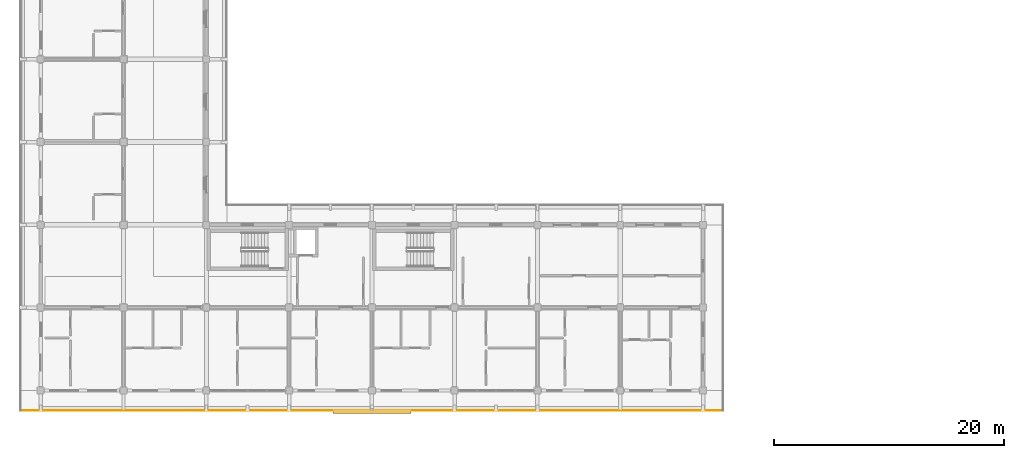
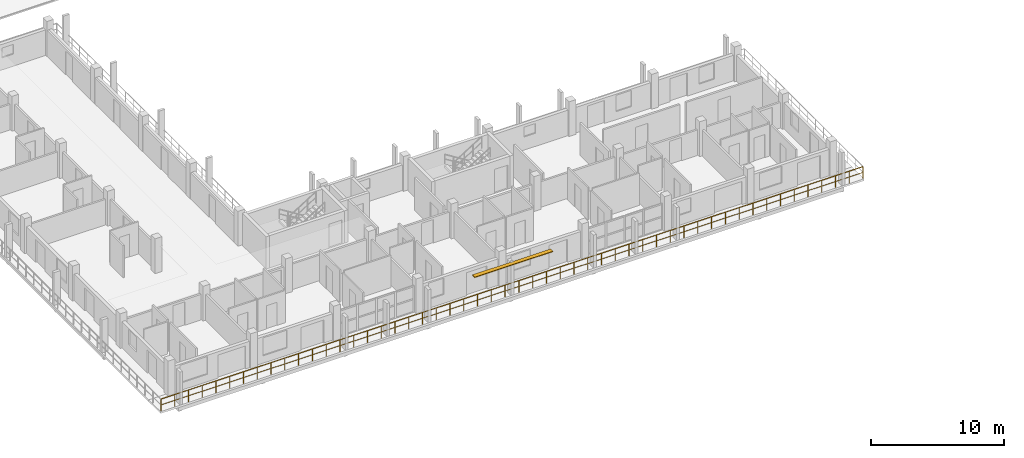
# One storey, part 143 of 157: 1 railing, 1 shading device.
"""IFC4 building model written with IfcOpenShell, lengths in metres."""

from ifc_helpers import new_model, si_unit, direction, frame, origin, origin_2d, place, context, subcontext, project, spatial, rectangle, extrude, material, type_object, element, save


model = new_model("IFC4")

# Units and contexts
model_context = context("Model", 3, precision=1e-05, world=origin(), true_north=direction((0.0, 1.0)))
body_context = subcontext(model_context, "Body", "Model", "MODEL_VIEW")
ifc_project = project(units=[si_unit("LENGTHUNIT", "METRE"), si_unit("AREAUNIT", "SQUARE_METRE"), si_unit("VOLUMEUNIT", "CUBIC_METRE"), si_unit("PLANEANGLEUNIT", "RADIAN"), si_unit("MASSUNIT", "GRAM", prefix="KILO")], contexts=[model_context])

# Site, building, storey
site_placement = place(None, origin())
site = spatial("IfcSite", under=ifc_project, at=site_placement, CompositionType="ELEMENT")
building_placement = place(site_placement, origin())
building = spatial("IfcBuilding", under=site, at=building_placement, Name="Suanplinth Sawtooth Commons", CompositionType="ELEMENT")
storey_placement = place(building_placement, frame((0.0, 0.0, 9.0)))
storey = spatial("IfcBuildingStorey", under=building, at=storey_placement, Name="L02", CompositionType="ELEMENT", Elevation=9.0)

# Railing
ifc_material_1 = material(Name="Powder-coated galvanized steel", Category="steel")
railing_type = type_object("IfcRailingType", Name="GR-01", PredefinedType="BALUSTRADE", material=ifc_material_1)
railing_placement = place(storey_placement, frame((59.340087890625, -1.739990234375, 0.0)))
element("IfcRailing", 1, at=railing_placement, inside=storey, type_object=railing_type, Name="L02 Block D Perimeter Balustrade 6", PredefinedType="BALUSTRADE", context=body_context, shape_type="SweptSolid", body=[
    extrude(rectangle(XDim=0.048095703125, YDim=0.048095703125, at=origin_2d()), frame((0.0, 0.0, 1.09619140625), z_axis=(-1.0, 0.0, 0.0), x_axis=(0.0, -1.0, 0.0)), (0.0, 0.0, 1.0), 61.080078125),
    extrude(rectangle(XDim=0.03369140625, YDim=0.03369140625, at=origin_2d()), frame((0.0, 0.0, 0.56005859375), z_axis=(-1.0, 0.0, 0.0), x_axis=(0.0, -1.0, 0.0)), (0.0, 0.0, 1.0), 61.080078125),
    extrude(rectangle(XDim=0.0419921875, YDim=0.0419921875, at=origin_2d()), origin(), (0.0, 0.0, 1.0), 1.072021484375),
    extrude(rectangle(XDim=0.0419921875, YDim=0.0419921875, at=origin_2d()), frame((-1.19775390625, 0.0, 0.0)), (0.0, 0.0, 1.0), 1.072021484375),
    extrude(rectangle(XDim=0.0419921875, YDim=0.0419921875, at=origin_2d()), frame((-2.395263671875, 0.0, 0.0)), (0.0, 0.0, 1.0), 1.072021484375),
    extrude(rectangle(XDim=0.0419921875, YDim=0.0419921875, at=origin_2d()), frame((-3.593017578125, 0.0, 0.0)), (0.0, 0.0, 1.0), 1.072021484375),
    extrude(rectangle(XDim=0.0419921875, YDim=0.0419921875, at=origin_2d()), frame((-4.79052734375, 0.0, 0.0)), (0.0, 0.0, 1.0), 1.072021484375),
    extrude(rectangle(XDim=0.0419921875, YDim=0.0419921875, at=origin_2d()), frame((-5.98828125, 0.0, 0.0)), (0.0, 0.0, 1.0), 1.072021484375),
    extrude(rectangle(XDim=0.0419921875, YDim=0.0419921875, at=origin_2d()), frame((-7.185791015625, 0.0, 0.0)), (0.0, 0.0, 1.0), 1.072021484375),
    extrude(rectangle(XDim=0.0419921875, YDim=0.0419921875, at=origin_2d()), frame((-8.383544921875, 0.0, 0.0)), (0.0, 0.0, 1.0), 1.072021484375),
    extrude(rectangle(XDim=0.0419921875, YDim=0.0419921875, at=origin_2d()), frame((-9.581298828125, 0.0, 0.0)), (0.0, 0.0, 1.0), 1.072021484375),
    extrude(rectangle(XDim=0.0419921875, YDim=0.0419921875, at=origin_2d()), frame((-10.77880859375, 0.0, 0.0)), (0.0, 0.0, 1.0), 1.072021484375),
    extrude(rectangle(XDim=0.0419921875, YDim=0.0419921875, at=origin_2d()), frame((-11.9765625, 0.0, 0.0)), (0.0, 0.0, 1.0), 1.072021484375),
    extrude(rectangle(XDim=0.0419921875, YDim=0.0419921875, at=origin_2d()), frame((-13.174072265625, 0.0, 0.0)), (0.0, 0.0, 1.0), 1.072021484375),
    extrude(rectangle(XDim=0.0419921875, YDim=0.0419921875, at=origin_2d()), frame((-14.371826171875, 0.0, 0.0)), (0.0, 0.0, 1.0), 1.072021484375),
    extrude(rectangle(XDim=0.0419921875, YDim=0.0419921875, at=origin_2d()), frame((-15.5693359375, 0.0, 0.0)), (0.0, 0.0, 1.0), 1.072021484375),
    extrude(rectangle(XDim=0.0419921875, YDim=0.0419921875, at=origin_2d()), frame((-16.76708984375, 0.0, 0.0)), (0.0, 0.0, 1.0), 1.072021484375),
    extrude(rectangle(XDim=0.0419921875, YDim=0.0419921875, at=origin_2d()), frame((-17.96484375, 0.0, 0.0)), (0.0, 0.0, 1.0), 1.072021484375),
    extrude(rectangle(XDim=0.0419921875, YDim=0.0419921875, at=origin_2d()), frame((-19.162353515625, 0.0, 0.0)), (0.0, 0.0, 1.0), 1.072021484375),
    extrude(rectangle(XDim=0.0419921875, YDim=0.0419921875, at=origin_2d()), frame((-20.360107421875, 0.0, 0.0)), (0.0, 0.0, 1.0), 1.072021484375),
    extrude(rectangle(XDim=0.0419921875, YDim=0.0419921875, at=origin_2d()), frame((-21.5576171875, 0.0, 0.0)), (0.0, 0.0, 1.0), 1.072021484375),
    extrude(rectangle(XDim=0.0419921875, YDim=0.0419921875, at=origin_2d()), frame((-22.75537109375, 0.0, 0.0)), (0.0, 0.0, 1.0), 1.072021484375),
    extrude(rectangle(XDim=0.0419921875, YDim=0.0419921875, at=origin_2d()), frame((-23.952880859375, 0.0, 0.0)), (0.0, 0.0, 1.0), 1.072021484375),
    extrude(rectangle(XDim=0.0419921875, YDim=0.0419921875, at=origin_2d()), frame((-25.150634765625, 0.0, 0.0)), (0.0, 0.0, 1.0), 1.072021484375),
    extrude(rectangle(XDim=0.0419921875, YDim=0.0419921875, at=origin_2d()), frame((-26.348388671875, 0.0, 0.0)), (0.0, 0.0, 1.0), 1.072021484375),
    extrude(rectangle(XDim=0.0419921875, YDim=0.0419921875, at=origin_2d()), frame((-27.5458984375, 0.0, 0.0)), (0.0, 0.0, 1.0), 1.072021484375),
    extrude(rectangle(XDim=0.0419921875, YDim=0.0419921875, at=origin_2d()), frame((-28.74365234375, 0.0, 0.0)), (0.0, 0.0, 1.0), 1.072021484375),
    extrude(rectangle(XDim=0.0419921875, YDim=0.0419921875, at=origin_2d()), frame((-29.941162109375, 0.0, 0.0)), (0.0, 0.0, 1.0), 1.072021484375),
    extrude(rectangle(XDim=0.0419921875, YDim=0.0419921875, at=origin_2d()), frame((-31.138916015625, 0.0, 0.0)), (0.0, 0.0, 1.0), 1.072021484375),
    extrude(rectangle(XDim=0.0419921875, YDim=0.0419921875, at=origin_2d()), frame((-32.33642578125, 0.0, 0.0)), (0.0, 0.0, 1.0), 1.072021484375),
    extrude(rectangle(XDim=0.0419921875, YDim=0.0419921875, at=origin_2d()), frame((-33.5341796875, 0.0, 0.0)), (0.0, 0.0, 1.0), 1.072021484375),
    extrude(rectangle(XDim=0.0419921875, YDim=0.0419921875, at=origin_2d()), frame((-34.731689453125, 0.0, 0.0)), (0.0, 0.0, 1.0), 1.072021484375),
    extrude(rectangle(XDim=0.0419921875, YDim=0.0419921875, at=origin_2d()), frame((-35.929443359375, 0.0, 0.0)), (0.0, 0.0, 1.0), 1.072021484375),
    extrude(rectangle(XDim=0.0419921875, YDim=0.0419921875, at=origin_2d()), frame((-37.127197265625, 0.0, 0.0)), (0.0, 0.0, 1.0), 1.072021484375),
    extrude(rectangle(XDim=0.0419921875, YDim=0.0419921875, at=origin_2d()), frame((-38.32470703125, 0.0, 0.0)), (0.0, 0.0, 1.0), 1.072021484375),
    extrude(rectangle(XDim=0.0419921875, YDim=0.0419921875, at=origin_2d()), frame((-39.5224609375, 0.0, 0.0)), (0.0, 0.0, 1.0), 1.072021484375),
    extrude(rectangle(XDim=0.0419921875, YDim=0.0419921875, at=origin_2d()), frame((-40.719970703125, 0.0, 0.0)), (0.0, 0.0, 1.0), 1.072021484375),
    extrude(rectangle(XDim=0.0419921875, YDim=0.0419921875, at=origin_2d()), frame((-41.917724609375, 0.0, 0.0)), (0.0, 0.0, 1.0), 1.072021484375),
    extrude(rectangle(XDim=0.0419921875, YDim=0.0419921875, at=origin_2d()), frame((-43.115234375, 0.0, 0.0)), (0.0, 0.0, 1.0), 1.072021484375),
    extrude(rectangle(XDim=0.0419921875, YDim=0.0419921875, at=origin_2d()), frame((-44.31298828125, 0.0, 0.0)), (0.0, 0.0, 1.0), 1.072021484375),
    extrude(rectangle(XDim=0.0419921875, YDim=0.0419921875, at=origin_2d()), frame((-45.5107421875, 0.0, 0.0)), (0.0, 0.0, 1.0), 1.072021484375),
    extrude(rectangle(XDim=0.0419921875, YDim=0.0419921875, at=origin_2d()), frame((-46.708251953125, 0.0, 0.0)), (0.0, 0.0, 1.0), 1.072021484375),
    extrude(rectangle(XDim=0.0419921875, YDim=0.0419921875, at=origin_2d()), frame((-47.906005859375, 0.0, 0.0)), (0.0, 0.0, 1.0), 1.072021484375),
    extrude(rectangle(XDim=0.0419921875, YDim=0.0419921875, at=origin_2d()), frame((-49.103515625, 0.0, 0.0)), (0.0, 0.0, 1.0), 1.072021484375),
    extrude(rectangle(XDim=0.0419921875, YDim=0.0419921875, at=origin_2d()), frame((-50.30126953125, 0.0, 0.0)), (0.0, 0.0, 1.0), 1.072021484375),
    extrude(rectangle(XDim=0.0419921875, YDim=0.0419921875, at=origin_2d()), frame((-51.498779296875, 0.0, 0.0)), (0.0, 0.0, 1.0), 1.072021484375),
    extrude(rectangle(XDim=0.0419921875, YDim=0.0419921875, at=origin_2d()), frame((-52.696533203125, 0.0, 0.0)), (0.0, 0.0, 1.0), 1.072021484375),
    extrude(rectangle(XDim=0.0419921875, YDim=0.0419921875, at=origin_2d()), frame((-53.894287109375, 0.0, 0.0)), (0.0, 0.0, 1.0), 1.072021484375),
    extrude(rectangle(XDim=0.0419921875, YDim=0.0419921875, at=origin_2d()), frame((-55.091796875, 0.0, 0.0)), (0.0, 0.0, 1.0), 1.072021484375),
    extrude(rectangle(XDim=0.0419921875, YDim=0.0419921875, at=origin_2d()), frame((-56.28955078125, 0.0, 0.0)), (0.0, 0.0, 1.0), 1.072021484375),
    extrude(rectangle(XDim=0.0419921875, YDim=0.0419921875, at=origin_2d()), frame((-57.487060546875, 0.0, 0.0)), (0.0, 0.0, 1.0), 1.072021484375),
    extrude(rectangle(XDim=0.0419921875, YDim=0.0419921875, at=origin_2d()), frame((-58.684814453125, 0.0, 0.0)), (0.0, 0.0, 1.0), 1.072021484375),
    extrude(rectangle(XDim=0.0419921875, YDim=0.0419921875, at=origin_2d()), frame((-59.88232421875, 0.0, 0.0)), (0.0, 0.0, 1.0), 1.072021484375),
    extrude(rectangle(XDim=0.0419921875, YDim=0.0419921875, at=origin_2d()), frame((-61.080078125, 0.0, 0.0)), (0.0, 0.0, 1.0), 1.072021484375),
])

# Shading device
ifc_material_2 = material(Name="Anodized aluminium 6063-T6", Category="aluminium")
shading_device_type = type_object("IfcShadingDeviceType", Name="SHD-01", PredefinedType="JALOUSIE", material=ifc_material_2)
shading_device_placement = place(storey_placement, frame((28.800048828125, -1.840087890625, 2.919921875), z_axis=(0.0, 0.0, 1.0), x_axis=(1.0, 0.0, 0.0)))
element("IfcShadingDevice", 2, at=shading_device_placement, inside=storey, type_object=shading_device_type, Name="Monsoon Louvre L02-D-1", PredefinedType="JALOUSIE", context=body_context, shape_type="SweptSolid", body=[
    extrude(rectangle(XDim=6.800048828125, YDim=0.35009765625, at=origin_2d()), origin(), (0.0, 0.0, 1.0), 0.06005859375),
])

save(model, "model.ifc")
